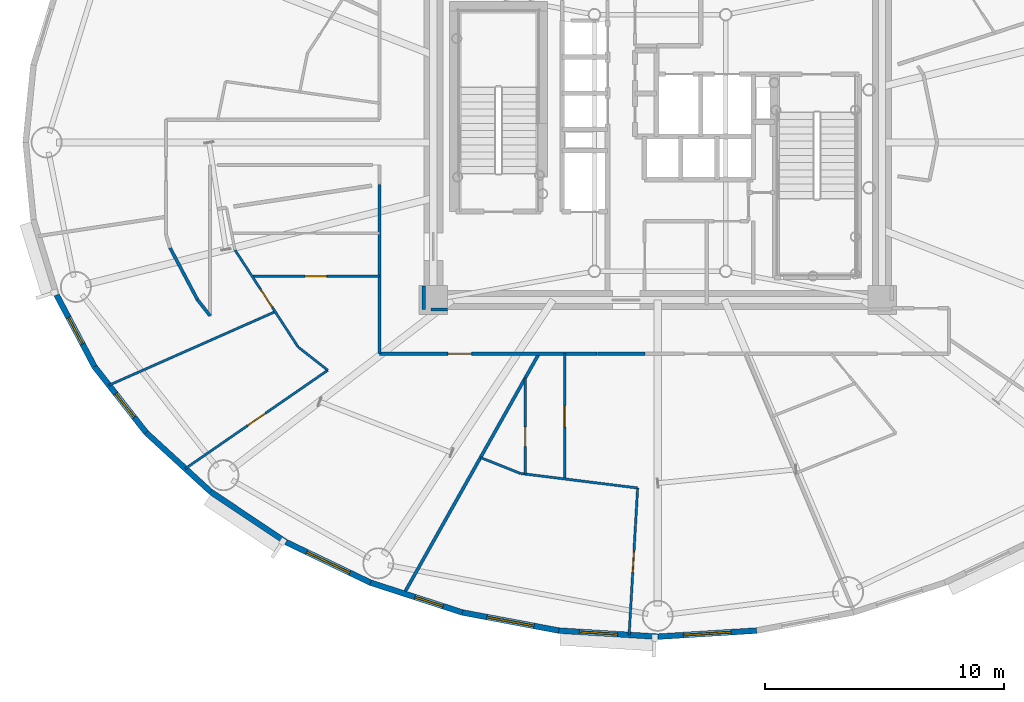
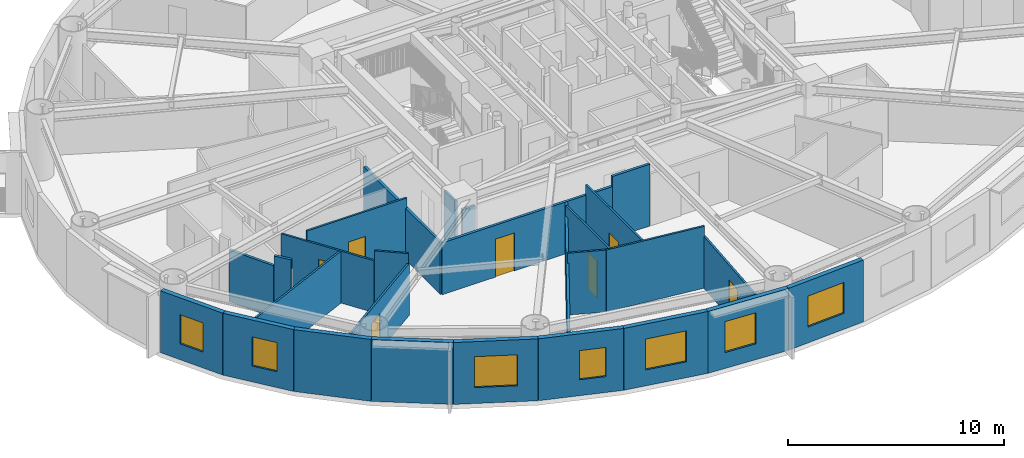
# One storey, part 9 of 21: 27 walls, 7 doors, 7 windows, 14 openings.
"""IFC4 building model written with IfcOpenShell, lengths in metres."""

from ifc_helpers import new_model, si_unit, direction, frame, frame_2d, origin, origin_2d, place, context, subcontext, project, spatial, rectangle, extrude, source, transform, mapped, material, layer, layer_set, type_object, element, fill, save


model = new_model("IFC4")

# Units and contexts
model_context = context("Model", 3, precision=1e-05, world=origin(), true_north=direction((0.0, 1.0)))
body_context = subcontext(model_context, "Body", "Model", "MODEL_VIEW")
ifc_project = project(units=[si_unit("LENGTHUNIT", "METRE"), si_unit("AREAUNIT", "SQUARE_METRE"), si_unit("VOLUMEUNIT", "CUBIC_METRE"), si_unit("PLANEANGLEUNIT", "RADIAN"), si_unit("MASSUNIT", "GRAM", prefix="KILO")], contexts=[model_context])

# Site, building, storey
site_placement = place(None, origin())
site = spatial("IfcSite", under=ifc_project, at=site_placement, CompositionType="ELEMENT")
building_placement = place(site_placement, origin())
building = spatial("IfcBuilding", under=site, at=building_placement, Name="Linh Dai School and Residence Tower", CompositionType="ELEMENT")
storey_placement = place(building_placement, frame((0.0, 0.0, 156.14990234375)))
storey = spatial("IfcBuildingStorey", under=building, at=storey_placement, Name="L37", CompositionType="ELEMENT", Elevation=156.14990234375)

# Wall, opening, window
ifc_material_1 = material(Name="Precast Concrete B45 (C35/45)", Category="concrete")
ifc_layer_1 = layer(ifc_material_1, 0.239990234375)
ifc_layer_set_1 = layer_set([ifc_layer_1], Name="Precast Concrete B45 (C35/45)")
wall_type_1 = type_object("IfcWallType", Name="EW-TC-240", PredefinedType="SOLIDWALL", material=ifc_layer_set_1)
wall_1_placement = place(storey_placement, frame((12.404052734375, 17.611572265625, 0.0), z_axis=(0.0, 0.0, 1.0), x_axis=(-0.467586874938, 0.88394712194, 0.0)))
wall_1 = element("IfcWall", 1, at=wall_1_placement, inside=storey, type_object=wall_type_1, Name="L37 Terracotta Exterior Wall 23", PredefinedType="SOLIDWALL", context=body_context, shape_type="SweptSolid", body=[
    extrude(rectangle(XDim=3.393310546875, YDim=0.239990234375, at=frame_2d((1.69677734375, 0.0))), origin(), (0.0, 0.0, 1.0), 3.5),
])
opening_1_placement = place(wall_1_placement, frame((1.07177734375, 0.0, 0.89990234375)))
opening_1 = element("IfcOpeningElement", 2, at=opening_1_placement, cuts=wall_1, Name="Opening W3", PredefinedType="OPENING", context=body_context, shape_type="SweptSolid", body=[
    extrude(rectangle(XDim=1.25, YDim=1.64990234375, at=origin_2d()), frame((0.625, 0.1298828125, 0.824951171875), z_axis=(0.0, -1.0, 0.0), x_axis=(1.0, 0.0, 0.0)), (0.0, 0.0, 1.0), 0.260009765625),
])
ifc_material_2 = material(Name="Double Low-E Insulated Glazing", Category="glass")
window_type_1 = type_object("IfcWindowType", Name="WN-RES-1250x1650", PartitioningType="SINGLE_PANEL", PredefinedType="WINDOW", material=ifc_material_2)
shared_shape_1 = source(origin(), body_context, "Body", "SweptSolid", [
    extrude(rectangle(XDim=1.25, YDim=1.64990234375, at=origin_2d()), frame((0.625, 0.030029296875, 0.824951171875), z_axis=(0.0, -1.0, 0.0), x_axis=(1.0, 0.0, 0.0)), (0.0, 0.0, 1.0), 0.06005859375),
])
window_1_placement = place(opening_1_placement, origin())
window_1 = element("IfcWindow", 3, at=window_1_placement, inside=storey, type_object=window_type_1, Name="L37 Dwelling Window U3705-BD1", OverallHeight=1.64990234375, OverallWidth=1.25, PartitioningType="SINGLE_PANEL", PredefinedType="WINDOW", context=body_context, shape_type="MappedRepresentation", body=[
    mapped(shared_shape_1, transform((0.0, 0.0, 0.0), x_axis=(1.0, 0.0, 0.0), y_axis=(0.0, 1.0, 0.0), z_axis=(0.0, 0.0, 1.0), scale=1.0)),
])
fill(opening_1, window_1)

wall_2_placement = place(storey_placement, frame((14.57177734375, 14.841552734375, 0.0), z_axis=(0.0, 0.0, 1.0), x_axis=(-0.616287674549, 0.787521112224, 0.0)))
wall_2 = element("IfcWall", 4, at=wall_2_placement, inside=storey, type_object=wall_type_1, Name="L37 Terracotta Exterior Wall 24", PredefinedType="SOLIDWALL", context=body_context, shape_type="SweptSolid", body=[
    extrude(rectangle(XDim=3.517333984375, YDim=0.239990234375, at=frame_2d((1.7587890625, 0.0))), origin(), (0.0, 0.0, 1.0), 3.5),
])
opening_2_placement = place(wall_2_placement, frame((0.81640625, 0.0, 0.89990234375)))
opening_2 = element("IfcOpeningElement", 5, at=opening_2_placement, cuts=wall_2, Name="Opening W3", PredefinedType="OPENING", context=body_context, shape_type="SweptSolid", body=[
    extrude(rectangle(XDim=1.25, YDim=1.64990234375, at=origin_2d()), frame((0.625, 0.1298828125, 0.824951171875), z_axis=(0.0, -1.0, 0.0), x_axis=(1.0, 0.0, 0.0)), (0.0, 0.0, 1.0), 0.260009765625),
])
window_2_placement = place(opening_2_placement, origin())
window_2 = element("IfcWindow", 6, at=window_2_placement, inside=storey, type_object=window_type_1, Name="L37 Exterior Window 24.1", OverallHeight=1.64990234375, OverallWidth=1.25, PartitioningType="SINGLE_PANEL", PredefinedType="WINDOW", context=body_context, shape_type="MappedRepresentation", body=[
    mapped(shared_shape_1, transform((0.0, 0.0, 0.0), x_axis=(1.0, 0.0, 0.0), y_axis=(0.0, 1.0, 0.0), z_axis=(0.0, 0.0, 1.0), scale=1.0)),
])
fill(opening_2, window_2)

# Walls
wall_3_placement = place(storey_placement, frame((17.26806640625, 12.369384765625, 0.0), z_axis=(0.0, 0.0, 1.0), x_axis=(-0.737076565834, 0.675809245349, 0.0)))
element("IfcWall", 7, at=wall_3_placement, inside=storey, type_object=wall_type_1, Name="L37 Terracotta Exterior Wall 25", PredefinedType="SOLIDWALL", context=body_context, shape_type="SweptSolid", body=[
    extrude(rectangle(XDim=3.658203125, YDim=0.239990234375, at=frame_2d((1.8291015625, 0.0))), origin(), (0.0, 0.0, 1.0), 3.5),
])
wall_4_placement = place(storey_placement, frame((20.4267578125, 10.2568359375, 0.0), z_axis=(0.0, 0.0, 1.0), x_axis=(-0.831228998277, 0.555930168657, 0.0)))
element("IfcWall", 8, at=wall_4_placement, inside=storey, type_object=wall_type_1, Name="L37 Terracotta Exterior Wall 26", PredefinedType="SOLIDWALL", context=body_context, shape_type="SweptSolid", body=[
    extrude(rectangle(XDim=3.800048828125, YDim=0.239990234375, at=frame_2d((1.89990234375, 0.0))), origin(), (0.0, 0.0, 1.0), 3.5),
])

# Wall, opening, window
wall_5_placement = place(storey_placement, frame((23.97021484375, 8.556396484375, 0.0), z_axis=(0.0, 0.0, 1.0), x_axis=(-0.901564733809, 0.432644231155, 0.0)))
wall_5 = element("IfcWall", 9, at=wall_5_placement, inside=storey, type_object=wall_type_1, Name="L37 Terracotta Exterior Wall 27", PredefinedType="SOLIDWALL", context=body_context, shape_type="SweptSolid", body=[
    extrude(rectangle(XDim=3.930419921875, YDim=0.239990234375, at=frame_2d((1.96533203125, 0.0))), origin(), (0.0, 0.0, 1.0), 3.5),
])
opening_3_placement = place(wall_5_placement, frame((0.965087890625, 0.0, 0.89990234375)))
opening_3 = element("IfcOpeningElement", 10, at=opening_3_placement, cuts=wall_5, Name="Opening W1", PredefinedType="OPENING", context=body_context, shape_type="SweptSolid", body=[
    extrude(rectangle(XDim=2.0, YDim=1.75, at=origin_2d()), frame((1.0, 0.1298828125, 0.875), z_axis=(0.0, -1.0, 0.0), x_axis=(1.0, 0.0, 0.0)), (0.0, 0.0, 1.0), 0.260009765625),
])
window_type_2 = type_object("IfcWindowType", Name="WN-RES-2000x1750", PartitioningType="DOUBLE_PANEL_VERTICAL", PredefinedType="WINDOW", material=ifc_material_2)
shared_shape_2 = source(origin(), body_context, "Body", "SweptSolid", [
    extrude(rectangle(XDim=2.0, YDim=1.75, at=origin_2d()), frame((1.0, 0.030029296875, 0.875), z_axis=(0.0, -1.0, 0.0), x_axis=(1.0, 0.0, 0.0)), (0.0, 0.0, 1.0), 0.06005859375),
])
window_3_placement = place(opening_3_placement, origin())
window_3 = element("IfcWindow", 11, at=window_3_placement, inside=storey, type_object=window_type_2, Name="L37 Exterior Window 27.1", OverallHeight=1.75, OverallWidth=2.0, PartitioningType="DOUBLE_PANEL_VERTICAL", PredefinedType="WINDOW", context=body_context, shape_type="MappedRepresentation", body=[
    mapped(shared_shape_2, transform((0.0, 0.0, 0.0), x_axis=(1.0, 0.0, 0.0), y_axis=(0.0, 1.0, 0.0), z_axis=(0.0, 0.0, 1.0), scale=1.0)),
])
fill(opening_3, window_3)

wall_6_placement = place(storey_placement, frame((27.81103515625, 7.310546875, 0.0), z_axis=(0.0, 0.0, 1.0), x_axis=(-0.951209870236, 0.30854462038, 0.0)))
wall_6 = element("IfcWall", 12, at=wall_6_placement, inside=storey, type_object=wall_type_1, Name="L37 Terracotta Exterior Wall 28", PredefinedType="SOLIDWALL", context=body_context, shape_type="SweptSolid", body=[
    extrude(rectangle(XDim=4.037841796875, YDim=0.239990234375, at=frame_2d((2.01904296875, 0.0))), origin(), (0.0, 0.0, 1.0), 3.5),
])
opening_4_placement = place(wall_6_placement, frame((0.837890625, 0.0, 0.89990234375)))
opening_4 = element("IfcOpeningElement", 13, at=opening_4_placement, cuts=wall_6, Name="Opening W3", PredefinedType="OPENING", context=body_context, shape_type="SweptSolid", body=[
    extrude(rectangle(XDim=1.25, YDim=1.64990234375, at=origin_2d()), frame((0.625, 0.1298828125, 0.824951171875), z_axis=(0.0, -1.0, 0.0), x_axis=(1.0, 0.0, 0.0)), (0.0, 0.0, 1.0), 0.260009765625),
])
window_4_placement = place(opening_4_placement, origin())
window_4 = element("IfcWindow", 14, at=window_4_placement, inside=storey, type_object=window_type_1, Name="L37 Exterior Window 28.1", OverallHeight=1.64990234375, OverallWidth=1.25, PartitioningType="SINGLE_PANEL", PredefinedType="WINDOW", context=body_context, shape_type="MappedRepresentation", body=[
    mapped(shared_shape_1, transform((0.0, 0.0, 0.0), x_axis=(1.0, 0.0, 0.0), y_axis=(0.0, 1.0, 0.0), z_axis=(0.0, 0.0, 1.0), scale=1.0)),
])
fill(opening_4, window_4)

wall_7_placement = place(storey_placement, frame((31.854248046875, 6.550537109375, 0.0), z_axis=(0.0, 0.0, 1.0), x_axis=(-0.982788108205, 0.184736391573, 0.0)))
wall_7 = element("IfcWall", 15, at=wall_7_placement, inside=storey, type_object=wall_type_1, Name="L37 Terracotta Exterior Wall 29", PredefinedType="SOLIDWALL", context=body_context, shape_type="SweptSolid", body=[
    extrude(rectangle(XDim=4.114013671875, YDim=0.239990234375, at=frame_2d((2.05712890625, 0.0))), origin(), (0.0, 0.0, 1.0), 3.5),
])
opening_5_placement = place(wall_7_placement, frame((1.056884765625, 0.0, 0.89990234375)))
opening_5 = element("IfcOpeningElement", 16, at=opening_5_placement, cuts=wall_7, Name="Opening W1", PredefinedType="OPENING", context=body_context, shape_type="SweptSolid", body=[
    extrude(rectangle(XDim=2.0, YDim=1.75, at=origin_2d()), frame((1.0, 0.1298828125, 0.875), z_axis=(0.0, -1.0, 0.0), x_axis=(1.0, 0.0, 0.0)), (0.0, 0.0, 1.0), 0.260009765625),
])
window_5_placement = place(opening_5_placement, origin())
window_5 = element("IfcWindow", 17, at=window_5_placement, inside=storey, type_object=window_type_2, Name="L37 Exterior Window 29.1", OverallHeight=1.75, OverallWidth=2.0, PartitioningType="DOUBLE_PANEL_VERTICAL", PredefinedType="WINDOW", context=body_context, shape_type="MappedRepresentation", body=[
    mapped(shared_shape_2, transform((0.0, 0.0, 0.0), x_axis=(1.0, 0.0, 0.0), y_axis=(0.0, 1.0, 0.0), z_axis=(0.0, 0.0, 1.0), scale=1.0)),
])
fill(opening_5, window_5)

wall_8_placement = place(storey_placement, frame((36.0, 6.294921875, 0.0), z_axis=(0.0, 0.0, 1.0), x_axis=(-0.998104600619, 0.061540281305, 0.0)))
wall_8 = element("IfcWall", 18, at=wall_8_placement, inside=storey, type_object=wall_type_1, Name="L37 Terracotta Exterior Wall 30", PredefinedType="SOLIDWALL", context=body_context, shape_type="SweptSolid", body=[
    extrude(rectangle(XDim=4.153564453125, YDim=0.239990234375, at=frame_2d((2.07666015625, 0.0))), origin(), (0.0, 0.0, 1.0), 3.5),
])
opening_6_placement = place(wall_8_placement, frame((1.68359375, 0.0, 0.89990234375)))
opening_6 = element("IfcOpeningElement", 19, at=opening_6_placement, cuts=wall_8, Name="Opening W2", PredefinedType="OPENING", context=body_context, shape_type="SweptSolid", body=[
    extrude(rectangle(XDim=1.60009765625, YDim=1.75, at=origin_2d()), frame((0.800048828125, 0.1298828125, 0.875), z_axis=(0.0, -1.0, 0.0), x_axis=(1.0, 0.0, 0.0)), (0.0, 0.0, 1.0), 0.260009765625),
])
window_type_3 = type_object("IfcWindowType", Name="WN-RES-1600x1750", PartitioningType="DOUBLE_PANEL_VERTICAL", PredefinedType="WINDOW", material=ifc_material_2)
shared_shape_3 = source(origin(), body_context, "Body", "SweptSolid", [
    extrude(rectangle(XDim=1.60009765625, YDim=1.75, at=origin_2d()), frame((0.800048828125, 0.030029296875, 0.875), z_axis=(0.0, -1.0, 0.0), x_axis=(1.0, 0.0, 0.0)), (0.0, 0.0, 1.0), 0.06005859375),
])
window_6_placement = place(opening_6_placement, origin())
window_6 = element("IfcWindow", 20, at=window_6_placement, inside=storey, type_object=window_type_3, Name="L37 Exterior Window 30.1", OverallHeight=1.75, OverallWidth=1.60009765625, PartitioningType="DOUBLE_PANEL_VERTICAL", PredefinedType="WINDOW", context=body_context, shape_type="MappedRepresentation", body=[
    mapped(shared_shape_3, transform((0.0, 0.0, 0.0), x_axis=(1.0, 0.0, 0.0), y_axis=(0.0, 1.0, 0.0), z_axis=(0.0, 0.0, 1.0), scale=1.0)),
])
fill(opening_6, window_6)

wall_9_placement = place(storey_placement, frame((40.145751953125, 6.550537109375, 0.0), z_axis=(0.0, 0.0, 1.0), x_axis=(-0.998104600619, -0.061540281305, 0.0)))
wall_9 = element("IfcWall", 21, at=wall_9_placement, inside=storey, type_object=wall_type_1, Name="L37 Terracotta Exterior Wall 31", PredefinedType="SOLIDWALL", context=body_context, shape_type="SweptSolid", body=[
    extrude(rectangle(XDim=4.153564453125, YDim=0.239990234375, at=frame_2d((2.07666015625, 0.0))), origin(), (0.0, 0.0, 1.0), 3.5),
])
opening_7_placement = place(wall_9_placement, frame((1.076904296875, 0.0, 0.89990234375)))
opening_7 = element("IfcOpeningElement", 22, at=opening_7_placement, cuts=wall_9, Name="Opening W1", PredefinedType="OPENING", context=body_context, shape_type="SweptSolid", body=[
    extrude(rectangle(XDim=2.0, YDim=1.75, at=origin_2d()), frame((1.0, 0.1298828125, 0.875), z_axis=(0.0, -1.0, 0.0), x_axis=(1.0, 0.0, 0.0)), (0.0, 0.0, 1.0), 0.260009765625),
])
window_7_placement = place(opening_7_placement, origin())
window_7 = element("IfcWindow", 23, at=window_7_placement, inside=storey, type_object=window_type_2, Name="L37 Exterior Window 31.1", OverallHeight=1.75, OverallWidth=2.0, PartitioningType="DOUBLE_PANEL_VERTICAL", PredefinedType="WINDOW", context=body_context, shape_type="MappedRepresentation", body=[
    mapped(shared_shape_2, transform((0.0, 0.0, 0.0), x_axis=(1.0, 0.0, 0.0), y_axis=(0.0, 1.0, 0.0), z_axis=(0.0, 0.0, 1.0), scale=1.0)),
])
fill(opening_7, window_7)

# Walls
ifc_material_3 = material(Name="Autoclaved Aerated Concrete Blockwork", Category="masonry")
ifc_layer_2 = layer(ifc_material_3, 0.135009765625)
ifc_layer_set_2 = layer_set([ifc_layer_2], Name="Autoclaved Aerated Concrete Blockwork")
wall_type_2 = type_object("IfcWallType", Name="IW-CORR-135-EI90", PredefinedType="PARTITIONING", material=ifc_layer_set_2)
wall_10_placement = place(storey_placement, frame((15.57421875, 22.577880859375, 0.0), z_axis=(0.0, 0.0, 1.0), x_axis=(0.46757196543, -0.883955008552, 0.0)))
element("IfcWall", 24, at=wall_10_placement, inside=storey, type_object=wall_type_2, Name="L37 Interior Partition Wall 007", PredefinedType="PARTITIONING", context=body_context, shape_type="SweptSolid", body=[
    extrude(rectangle(XDim=2.451416015625, YDim=0.135009765625, at=frame_2d((1.2255859375, 0.0))), origin(), (0.0, 0.0, 1.0), 2.93505859375),
])
wall_11_placement = place(storey_placement, frame((16.720458984375, 20.410888671875, 0.0), z_axis=(0.0, 0.0, 1.0), x_axis=(0.616377221056, -0.787451027914, 0.0)))
element("IfcWall", 25, at=wall_11_placement, inside=storey, type_object=wall_type_2, Name="L37 Interior Partition Wall 010", PredefinedType="PARTITIONING", context=body_context, shape_type="SweptSolid", body=[
    extrude(rectangle(XDim=0.859130859375, YDim=0.135009765625, at=frame_2d((0.4296875, 0.0))), origin(), (0.0, 0.0, 1.0), 3.5),
])
wall_12_placement = place(storey_placement, frame((24.35009765625, 18.14990234375, 0.0), z_axis=(0.0, 0.0, 1.0), x_axis=(0.0, 1.0, 0.0)))
element("IfcWall", 26, at=wall_12_placement, inside=storey, type_object=wall_type_2, Name="L37 Interior Partition Wall 023", PredefinedType="PARTITIONING", context=body_context, shape_type="SweptSolid", body=[
    extrude(rectangle(XDim=7.087646484375, YDim=0.135009765625, at=frame_2d((3.5439453125, 0.0))), origin(), (0.0, 0.0, 1.0), 2.93505859375),
])

# Wall, opening, door
wall_13_placement = place(storey_placement, frame((24.35009765625, 18.14990234375, 0.0), z_axis=(0.0, 0.0, 1.0), x_axis=(1.0, 0.0, 0.0)))
wall_13 = element("IfcWall", 27, at=wall_13_placement, inside=storey, type_object=wall_type_2, Name="L37 Interior Partition Wall 024", PredefinedType="PARTITIONING", context=body_context, shape_type="SweptSolid", body=[
    extrude(rectangle(XDim=9.108642578125, YDim=0.135009765625, at=frame_2d((4.55419921875, 0.0))), origin(), (0.0, 0.0, 1.0), 2.93505859375),
])
opening_8_placement = place(wall_13_placement, frame((2.856689453125, 0.0, 0.0)))
opening_8 = element("IfcOpeningElement", 28, at=opening_8_placement, cuts=wall_13, Name="Opening D03", PredefinedType="OPENING", context=body_context, shape_type="SweptSolid", body=[
    extrude(rectangle(XDim=1.0, YDim=2.14990234375, at=origin_2d()), frame((0.5, 0.07763671875, 1.074951171875), z_axis=(0.0, -1.0, 0.0), x_axis=(1.0, 0.0, 0.0)), (0.0, 0.0, 1.0), 0.155029296875),
])
ifc_material_4 = material(Name="Fire-Rated Solid Timber Entrance Door", Category="wood")
door_type_1 = type_object("IfcDoorType", Name="DR-FLAT-1000x2150-FD60S", OperationType="NOTDEFINED", PredefinedType="DOOR", material=ifc_material_4)
shared_shape_4 = source(origin(), body_context, "Body", "SweptSolid", [
    extrude(rectangle(XDim=1.0, YDim=2.14990234375, at=origin_2d()), frame((0.5, 0.02490234375, 1.074951171875), z_axis=(0.0, -1.0, 0.0), x_axis=(1.0, 0.0, 0.0)), (0.0, 0.0, 1.0), 0.050048828125),
])
door_1_placement = place(opening_8_placement, origin())
door_1 = element("IfcDoor", 29, at=door_1_placement, inside=storey, type_object=door_type_1, Name="L37 U3705 Apartment Entrance Door", OperationType="SINGLE_SWING_LEFT", OverallHeight=2.14990234375, OverallWidth=1.0, PredefinedType="DOOR", context=body_context, shape_type="MappedRepresentation", body=[
    mapped(shared_shape_4, transform((0.0, 0.0, 0.0), x_axis=(1.0, 0.0, 0.0), y_axis=(0.0, 1.0, 0.0), z_axis=(0.0, 0.0, 1.0), scale=1.0)),
])
fill(opening_8, door_1)

# Walls
wall_14_placement = place(storey_placement, frame((25.37060546875, 8.096923828125, 0.0), z_axis=(0.0, 0.0, 1.0), x_axis=(0.49013158602, 0.871648454588, 0.0)))
element("IfcWall", 30, at=wall_14_placement, inside=storey, type_object=wall_type_2, Name="L37 Interior Partition Wall 027", PredefinedType="PARTITIONING", context=body_context, shape_type="SweptSolid", body=[
    extrude(rectangle(XDim=11.533203125, YDim=0.135009765625, at=frame_2d((5.7666015625, 0.0))), origin(), (0.0, 0.0, 1.0), 2.93505859375),
])
wall_15_placement = place(storey_placement, frame((26.199951171875, 20.989990234375, 0.0), z_axis=(0.0, 0.0, 1.0), x_axis=(0.0, -1.0, 0.0)))
element("IfcWall", 31, at=wall_15_placement, inside=storey, type_object=wall_type_2, Name="L37 Interior Partition Wall 108", PredefinedType="PARTITIONING", context=body_context, shape_type="SweptSolid", body=[
    extrude(rectangle(XDim=0.989990234375, YDim=0.135009765625, at=frame_2d((0.4951171875, 0.0))), origin(), (0.0, 0.0, 1.0), 3.5),
])
wall_16_placement = place(storey_placement, frame((26.507568359375, 20.0, 0.0), z_axis=(0.0, 0.0, 1.0), x_axis=(1.0, 0.0, 0.0)))
element("IfcWall", 32, at=wall_16_placement, inside=storey, type_object=wall_type_2, Name="L37 Interior Partition Wall 109", PredefinedType="PARTITIONING", context=body_context, shape_type="SweptSolid", body=[
    extrude(rectangle(XDim=0.682373046875, YDim=0.135009765625, at=frame_2d((0.34130859375, 0.0))), origin(), (0.0, 0.0, 1.0), 2.93505859375),
])
wall_17_placement = place(storey_placement, frame((35.475830078125, 18.14990234375, 0.0), z_axis=(0.0, 0.0, 1.0), x_axis=(-1.0, 0.0, 0.0)))
element("IfcWall", 33, at=wall_17_placement, inside=storey, type_object=wall_type_2, Name="L37 Interior Partition Wall 112", PredefinedType="PARTITIONING", context=body_context, shape_type="SweptSolid", body=[
    extrude(rectangle(XDim=2.007080078125, YDim=0.135009765625, at=frame_2d((1.00341796875, 0.0))), origin(), (0.0, 0.0, 1.0), 3.5),
])
ifc_material_5 = material(Name="Gypsum Plasterboard Acoustic Stud Partition", Category="masonry")
ifc_layer_3 = layer(ifc_material_5, 0.10009765625)
ifc_layer_set_3 = layer_set([ifc_layer_3], Name="Gypsum Plasterboard Acoustic Stud Partition")
wall_type_3 = type_object("IfcWallType", Name="IW-UNIT-100", PredefinedType="PARTITIONING", material=ifc_layer_set_3)
wall_18_placement = place(storey_placement, frame((13.01171875, 16.826904296875, 0.0), z_axis=(0.0, 0.0, 1.0), x_axis=(0.914460954348, 0.404674144185, 0.0)))
element("IfcWall", 34, at=wall_18_placement, inside=storey, type_object=wall_type_3, Name="L37 Interior Partition Wall 002", PredefinedType="PARTITIONING", context=body_context, shape_type="SweptSolid", body=[
    extrude(rectangle(XDim=7.61376953125, YDim=0.10009765625, at=frame_2d((3.806884765625, 0.0))), origin(), (0.0, 0.0, 1.0), 2.93505859375),
])

# Wall, opening, door
wall_19_placement = place(storey_placement, frame((16.208984375, 13.33349609375, 0.0), z_axis=(0.0, 0.0, 1.0), x_axis=(0.82287966827, 0.568215673444, 0.0)))
wall_19 = element("IfcWall", 35, at=wall_19_placement, inside=storey, type_object=wall_type_3, Name="L37 Interior Partition Wall 009", PredefinedType="PARTITIONING", context=body_context, shape_type="SweptSolid", body=[
    extrude(rectangle(XDim=7.25537109375, YDim=0.10009765625, at=frame_2d((3.627685546875, 0.0))), origin(), (0.0, 0.0, 1.0), 2.93505859375),
])
opening_9_placement = place(wall_19_placement, frame((3.177490234375, 0.0, 0.0)))
opening_9 = element("IfcOpeningElement", 36, at=opening_9_placement, cuts=wall_19, Name="Opening D05", PredefinedType="OPENING", context=body_context, shape_type="SweptSolid", body=[
    extrude(rectangle(XDim=0.89990234375, YDim=2.10009765625, at=origin_2d()), frame((0.449951171875, 0.06005859375, 1.050048828125), z_axis=(0.0, -1.0, 0.0), x_axis=(1.0, 0.0, 0.0)), (0.0, 0.0, 1.0), 0.1201171875),
])
ifc_material_6 = material(Name="Engineered Timber Internal Door", Category="wood")
door_type_2 = type_object("IfcDoorType", Name="DR-INT-900x2100", OperationType="NOTDEFINED", PredefinedType="DOOR", material=ifc_material_6)
shared_shape_5 = source(origin(), body_context, "Body", "SweptSolid", [
    extrude(rectangle(XDim=0.89990234375, YDim=2.10009765625, at=origin_2d()), frame((0.449951171875, 0.02490234375, 1.050048828125), z_axis=(0.0, -1.0, 0.0), x_axis=(1.0, 0.0, 0.0)), (0.0, 0.0, 1.0), 0.050048828125),
])
door_2_placement = place(opening_9_placement, origin())
door_2 = element("IfcDoor", 37, at=door_2_placement, inside=storey, type_object=door_type_2, Name="L37 Apartment U3705 Study Door", OperationType="SINGLE_SWING_LEFT", OverallHeight=2.10009765625, OverallWidth=0.89990234375, PredefinedType="DOOR", context=body_context, shape_type="MappedRepresentation", body=[
    mapped(shared_shape_5, transform((0.0, 0.0, 0.0), x_axis=(1.0, 0.0, 0.0), y_axis=(0.0, 1.0, 0.0), z_axis=(0.0, 0.0, 1.0), scale=1.0)),
])
fill(opening_9, door_2)

wall_20_placement = place(storey_placement, frame((18.291259765625, 22.494140625, 0.0), z_axis=(0.0, 0.0, 1.0), x_axis=(0.545405921784, -0.838172047066, 0.0)))
wall_20 = element("IfcWall", 38, at=wall_20_placement, inside=storey, type_object=wall_type_3, Name="L37 Interior Partition Wall 017", PredefinedType="PARTITIONING", context=body_context, shape_type="SweptSolid", body=[
    extrude(rectangle(XDim=4.84912109375, YDim=0.10009765625, at=frame_2d((2.424560546875, 0.0))), origin(), (0.0, 0.0, 1.0), 2.93505859375),
])
opening_10_placement = place(wall_20_placement, frame((1.96240234375, 0.0, 0.0)))
opening_10 = element("IfcOpeningElement", 39, at=opening_10_placement, cuts=wall_20, Name="Opening D05", PredefinedType="OPENING", context=body_context, shape_type="SweptSolid", body=[
    extrude(rectangle(XDim=0.89990234375, YDim=2.10009765625, at=origin_2d()), frame((0.449951171875, 0.06005859375, 1.050048828125), z_axis=(0.0, -1.0, 0.0), x_axis=(1.0, 0.0, 0.0)), (0.0, 0.0, 1.0), 0.1201171875),
])
door_3_placement = place(opening_10_placement, origin())
door_3 = element("IfcDoor", 40, at=door_3_placement, inside=storey, type_object=door_type_2, Name="L37 Apartment U3705 Principal Bedroom 1 Door", OperationType="SINGLE_SWING_RIGHT", OverallHeight=2.10009765625, OverallWidth=0.89990234375, PredefinedType="DOOR", context=body_context, shape_type="MappedRepresentation", body=[
    mapped(shared_shape_5, transform((0.0, 0.0, 0.0), x_axis=(1.0, 0.0, 0.0), y_axis=(0.0, 1.0, 0.0), z_axis=(0.0, 0.0, 1.0), scale=1.0)),
])
fill(opening_10, door_3)

wall_21_placement = place(storey_placement, frame((19.00537109375, 21.396728515625, 0.0), z_axis=(0.0, 0.0, 1.0), x_axis=(1.0, 0.0, 0.0)))
wall_21 = element("IfcWall", 41, at=wall_21_placement, inside=storey, type_object=wall_type_3, Name="L37 Interior Partition Wall 018", PredefinedType="PARTITIONING", context=body_context, shape_type="SweptSolid", body=[
    extrude(rectangle(XDim=5.3447265625, YDim=0.10009765625, at=frame_2d((2.67236328125, 0.0))), origin(), (0.0, 0.0, 1.0), 3.5),
])
opening_11_placement = place(wall_21_placement, frame((2.222412109375, 0.0, 0.0)))
opening_11 = element("IfcOpeningElement", 42, at=opening_11_placement, cuts=wall_21, Name="Opening D05", PredefinedType="OPENING", context=body_context, shape_type="SweptSolid", body=[
    extrude(rectangle(XDim=0.89990234375, YDim=2.10009765625, at=origin_2d()), frame((0.449951171875, 0.06005859375, 1.050048828125), z_axis=(0.0, -1.0, 0.0), x_axis=(1.0, 0.0, 0.0)), (0.0, 0.0, 1.0), 0.1201171875),
])
door_4_placement = place(opening_11_placement, origin())
door_4 = element("IfcDoor", 43, at=door_4_placement, inside=storey, type_object=door_type_2, Name="L37 Apartment U3705 Kitchen Door", OperationType="SINGLE_SWING_RIGHT", OverallHeight=2.10009765625, OverallWidth=0.89990234375, PredefinedType="DOOR", context=body_context, shape_type="MappedRepresentation", body=[
    mapped(shared_shape_5, transform((0.0, 0.0, 0.0), x_axis=(1.0, 0.0, 0.0), y_axis=(0.0, 1.0, 0.0), z_axis=(0.0, 0.0, 1.0), scale=1.0)),
])
fill(opening_11, door_4)

# Walls
wall_22_placement = place(storey_placement, frame((20.93603515625, 18.429443359375, 0.0), z_axis=(0.0, 0.0, 1.0), x_axis=(0.787358146927, -0.61649586249, 0.0)))
element("IfcWall", 44, at=wall_22_placement, inside=storey, type_object=wall_type_3, Name="L37 Interior Partition Wall 019", PredefinedType="PARTITIONING", context=body_context, shape_type="SweptSolid", body=[
    extrude(rectangle(XDim=1.578857421875, YDim=0.10009765625, at=frame_2d((0.78955078125, 0.0))), origin(), (0.0, 0.0, 1.0), 3.5),
])
wall_23_placement = place(storey_placement, frame((28.576904296875, 13.798583984375, 0.0), z_axis=(0.0, 0.0, 1.0), x_axis=(0.928794890234, -0.370594187591, 0.0)))
element("IfcWall", 45, at=wall_23_placement, inside=storey, type_object=wall_type_3, Name="L37 Interior Partition Wall 030", PredefinedType="PARTITIONING", context=body_context, shape_type="SweptSolid", body=[
    extrude(rectangle(XDim=1.797119140625, YDim=0.10009765625, at=frame_2d((0.8984375, 0.0))), origin(), (0.0, 0.0, 1.0), 3.5),
])
wall_24_placement = place(storey_placement, frame((30.24609375, 13.132568359375, 0.0), z_axis=(0.0, 0.0, 1.0), x_axis=(0.99239956118, -0.1230573483, 0.0)))
element("IfcWall", 46, at=wall_24_placement, inside=storey, type_object=wall_type_3, Name="L37 Interior Partition Wall 031", PredefinedType="PARTITIONING", context=body_context, shape_type="SweptSolid", body=[
    extrude(rectangle(XDim=4.949951171875, YDim=0.10009765625, at=frame_2d((2.47509765625, 0.0))), origin(), (0.0, 0.0, 1.0), 3.5),
])

# Wall, opening, door
wall_25_placement = place(storey_placement, frame((30.449462890625, 13.107421875, 0.0), z_axis=(0.0, 0.0, 1.0), x_axis=(0.0, 1.0, 0.0)))
wall_25 = element("IfcWall", 47, at=wall_25_placement, inside=storey, type_object=wall_type_3, Name="L37 Interior Partition Wall 033", PredefinedType="PARTITIONING", context=body_context, shape_type="SweptSolid", body=[
    extrude(rectangle(XDim=4.021728515625, YDim=0.10009765625, at=frame_2d((2.0107421875, 0.0))), origin(), (0.0, 0.0, 1.0), 3.5),
])
opening_12_placement = place(wall_25_placement, frame((1.156494140625, 0.0, 0.0)))
opening_12 = element("IfcOpeningElement", 48, at=opening_12_placement, cuts=wall_25, Name="Opening D06", PredefinedType="OPENING", context=body_context, shape_type="SweptSolid", body=[
    extrude(rectangle(XDim=0.820068359375, YDim=2.10009765625, at=origin_2d()), frame((0.41015625, 0.06005859375, 1.050048828125), z_axis=(0.0, -1.0, 0.0), x_axis=(1.0, 0.0, 0.0)), (0.0, 0.0, 1.0), 0.1201171875),
])
ifc_material_7 = material(Name="Moisture-Resistant Timber Bathroom Door", Category="wood")
door_type_3 = type_object("IfcDoorType", Name="DR-WET-820x2100", OperationType="NOTDEFINED", PredefinedType="DOOR", material=ifc_material_7)
shared_shape_6 = source(origin(), body_context, "Body", "SweptSolid", [
    extrude(rectangle(XDim=0.820068359375, YDim=2.10009765625, at=origin_2d()), frame((0.41015625, 0.02490234375, 1.050048828125), z_axis=(0.0, -1.0, 0.0), x_axis=(1.0, 0.0, 0.0)), (0.0, 0.0, 1.0), 0.050048828125),
])
door_5_placement = place(opening_12_placement, origin())
door_5 = element("IfcDoor", 49, at=door_5_placement, inside=storey, type_object=door_type_3, Name="L37 Apartment U3706 Bathroom 1 Door", OperationType="SINGLE_SWING_LEFT", OverallHeight=2.10009765625, OverallWidth=0.820068359375, PredefinedType="DOOR", context=body_context, shape_type="MappedRepresentation", body=[
    mapped(shared_shape_6, transform((0.0, 0.0, 0.0), x_axis=(1.0, 0.0, 0.0), y_axis=(0.0, 1.0, 0.0), z_axis=(0.0, 0.0, 1.0), scale=1.0)),
])
fill(opening_12, door_5)

wall_26_placement = place(storey_placement, frame((32.09765625, 12.903076171875, 0.0), z_axis=(0.0, 0.0, 1.0), x_axis=(0.0, 1.0, 0.0)))
wall_26 = element("IfcWall", 50, at=wall_26_placement, inside=storey, type_object=wall_type_3, Name="L37 Interior Partition Wall 042", PredefinedType="PARTITIONING", context=body_context, shape_type="SweptSolid", body=[
    extrude(rectangle(XDim=5.246826171875, YDim=0.10009765625, at=frame_2d((2.62353515625, 0.0))), origin(), (0.0, 0.0, 1.0), 3.5),
])
opening_13_placement = place(wall_26_placement, frame((2.173583984375, 0.0, 0.0)))
opening_13 = element("IfcOpeningElement", 51, at=opening_13_placement, cuts=wall_26, Name="Opening D05", PredefinedType="OPENING", context=body_context, shape_type="SweptSolid", body=[
    extrude(rectangle(XDim=0.89990234375, YDim=2.10009765625, at=origin_2d()), frame((0.449951171875, 0.06005859375, 1.050048828125), z_axis=(0.0, -1.0, 0.0), x_axis=(1.0, 0.0, 0.0)), (0.0, 0.0, 1.0), 0.1201171875),
])
door_6_placement = place(opening_13_placement, origin())
door_6 = element("IfcDoor", 52, at=door_6_placement, inside=storey, type_object=door_type_2, Name="L37 Apartment U3706 Kitchen Door", OperationType="SINGLE_SWING_RIGHT", OverallHeight=2.10009765625, OverallWidth=0.89990234375, PredefinedType="DOOR", context=body_context, shape_type="MappedRepresentation", body=[
    mapped(shared_shape_5, transform((0.0, 0.0, 0.0), x_axis=(1.0, 0.0, 0.0), y_axis=(0.0, 1.0, 0.0), z_axis=(0.0, 0.0, 1.0), scale=1.0)),
])
fill(opening_13, door_6)

wall_27_placement = place(storey_placement, frame((34.801025390625, 6.36376953125, 0.0), z_axis=(0.0, 0.0, 1.0), x_axis=(0.058007588758, 0.998316142135, 0.0)))
wall_27 = element("IfcWall", 53, at=wall_27_placement, inside=storey, type_object=wall_type_3, Name="L37 Interior Partition Wall 047", PredefinedType="PARTITIONING", context=body_context, shape_type="SweptSolid", body=[
    extrude(rectangle(XDim=6.170166015625, YDim=0.10009765625, at=frame_2d((3.0849609375, 0.0))), origin(), (0.0, 0.0, 1.0), 2.93505859375),
])
opening_14_placement = place(wall_27_placement, frame((2.635009765625, 0.0, 0.0)))
opening_14 = element("IfcOpeningElement", 54, at=opening_14_placement, cuts=wall_27, Name="Opening D05", PredefinedType="OPENING", context=body_context, shape_type="SweptSolid", body=[
    extrude(rectangle(XDim=0.89990234375, YDim=2.10009765625, at=origin_2d()), frame((0.449951171875, 0.06005859375, 1.050048828125), z_axis=(0.0, -1.0, 0.0), x_axis=(1.0, 0.0, 0.0)), (0.0, 0.0, 1.0), 0.1201171875),
])
door_7_placement = place(opening_14_placement, origin())
door_7 = element("IfcDoor", 55, at=door_7_placement, inside=storey, type_object=door_type_2, Name="L37 Apartment U3706 Principal Bedroom 1 Door", OperationType="SINGLE_SWING_LEFT", OverallHeight=2.10009765625, OverallWidth=0.89990234375, PredefinedType="DOOR", context=body_context, shape_type="MappedRepresentation", body=[
    mapped(shared_shape_5, transform((0.0, 0.0, 0.0), x_axis=(1.0, 0.0, 0.0), y_axis=(0.0, 1.0, 0.0), z_axis=(0.0, 0.0, 1.0), scale=1.0)),
])
fill(opening_14, door_7)

save(model, "model.ifc")
